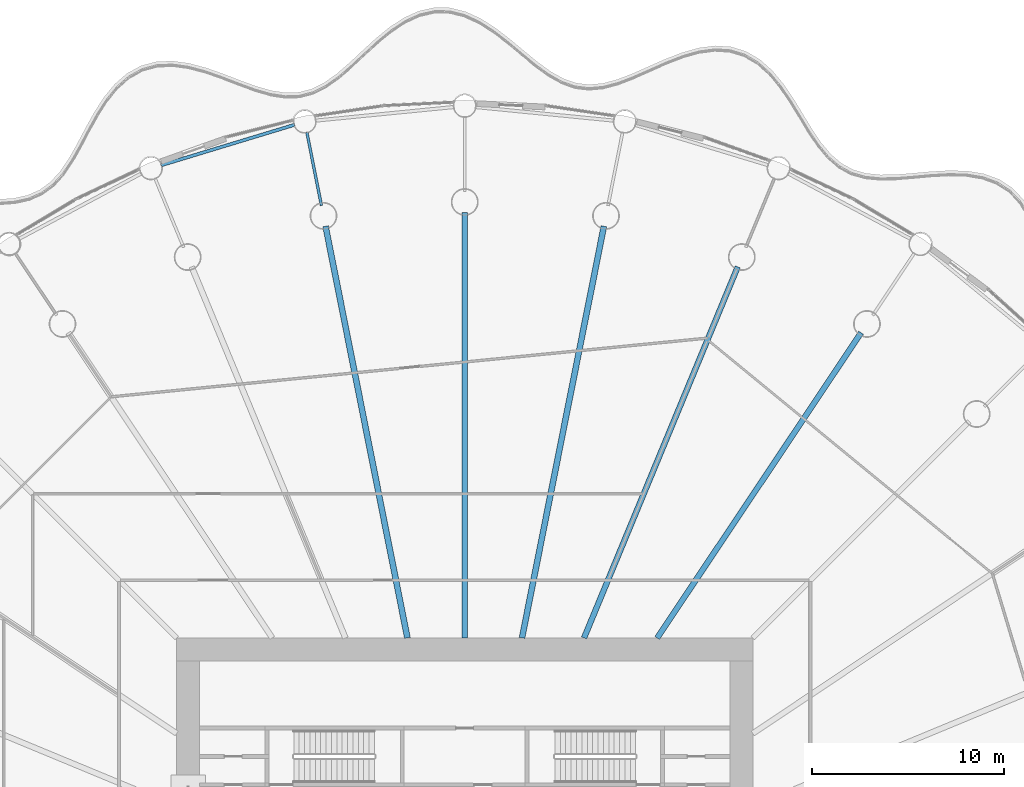
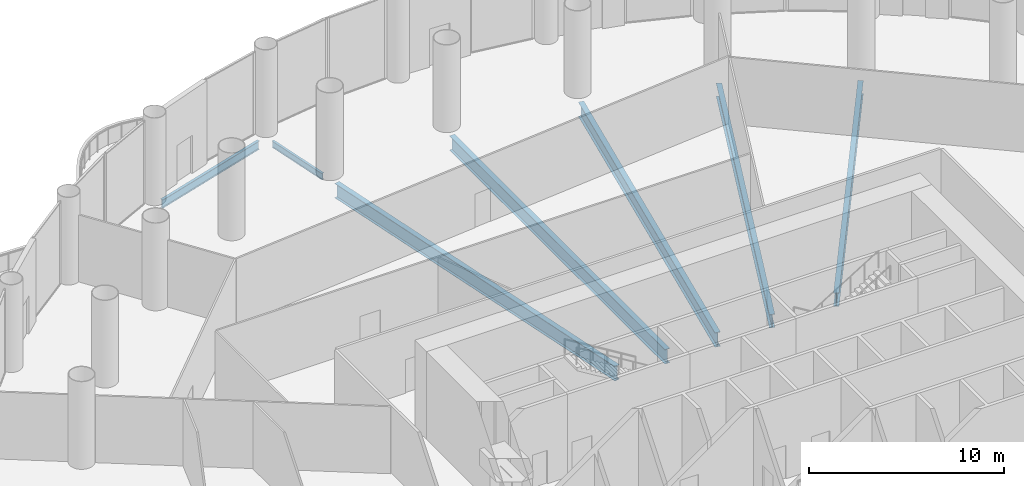
# One storey, part 17 of 37: 7 beams.
"""IFC4 building model written with IfcOpenShell, lengths in metres."""

from ifc_helpers import new_model, si_unit, direction, frame, origin, origin_2d, place, context, subcontext, project, spatial, i_section, extrude, material, material_profile, profile_set, type_object, element, save


model = new_model("IFC4")

# Units and contexts
model_context = context("Model", 3, precision=1e-05, world=origin(), true_north=direction((0.0, 1.0)))
body_context = subcontext(model_context, "Body", "Model", "MODEL_VIEW")
ifc_project = project(units=[si_unit("LENGTHUNIT", "METRE"), si_unit("AREAUNIT", "SQUARE_METRE"), si_unit("VOLUMEUNIT", "CUBIC_METRE"), si_unit("PLANEANGLEUNIT", "RADIAN"), si_unit("MASSUNIT", "GRAM", prefix="KILO")], contexts=[model_context])

# Site, building, storey
site_placement = place(None, origin())
site = spatial("IfcSite", under=ifc_project, at=site_placement, CompositionType="ELEMENT")
building_placement = place(site_placement, origin())
building = spatial("IfcBuilding", under=site, at=building_placement, Name="Corvane Civic Tower", CompositionType="ELEMENT")
storey_placement = place(building_placement, frame((0.0, 0.0, 11.5)))
storey = spatial("IfcBuildingStorey", under=building, at=storey_placement, Name="L02", CompositionType="ELEMENT", Elevation=11.5)

# Beams
ifc_material_1 = material(Name="Steel ASTM A992 Gr 50", Category="steel")
ifc_material_profile_1 = material_profile(ifc_material_1, i_section(OverallWidth=0.165771484375, OverallDepth=0.5283203125, WebThickness=0.009765625, FlangeThickness=0.013671875, at=origin_2d()), Name="W21X50")
ifc_profile_set_1 = profile_set([ifc_material_profile_1], Name="Steel ASTM A992 Gr 50")
beam_type_1 = type_object("IfcBeamType", Name="EDGE BEAM W21X50", PredefinedType="BEAM", material=ifc_profile_set_1)
beam_1_placement = place(storey_placement, frame((-15.814208984375, 39.609375, -0.564208984375), z_axis=(0.956938225664, 0.290291633127, 0.0), x_axis=(-0.290291633127, 0.956938225664, 0.0)))
element("IfcBeam", 1, at=beam_1_placement, inside=storey, type_object=beam_type_1, Name="BM-L02-E31", PredefinedType="BEAM", context=body_context, shape_type="SweptSolid", body=[
    extrude(i_section(OverallWidth=0.165771484375, OverallDepth=0.5283203125, WebThickness=0.009765625, FlangeThickness=0.013671875, at=origin_2d()), origin(), (0.0, 0.0, 1.0), 7.2705078125),
])
ifc_material_2 = material(Name="Steel ASTM A992 Gr 50", Category="steel")
ifc_material_profile_2 = material_profile(ifc_material_2, i_section(OverallWidth=0.140380859375, OverallDepth=0.40380859375, WebThickness=0.007080078125, FlangeThickness=0.01123046875, at=origin_2d()), Name="W16X31")
ifc_profile_set_2 = profile_set([ifc_material_profile_2], Name="Steel ASTM A992 Gr 50")
beam_type_2 = type_object("IfcBeamType", Name="FLOOR GIRDER W16X31", PredefinedType="BEAM", material=ifc_profile_set_2)
beam_2_placement = place(storey_placement, frame((-7.462158203125, 37.51513671875, -0.501953125), z_axis=(-0.195128858343, 0.980777614264, 0.0), x_axis=(-0.980777614264, -0.195128858343, 0.0)))
element("IfcBeam", 2, at=beam_2_placement, inside=storey, type_object=beam_type_2, Name="BM-L02-G32b", PredefinedType="BEAM", context=body_context, shape_type="SweptSolid", body=[
    extrude(i_section(OverallWidth=0.140380859375, OverallDepth=0.40380859375, WebThickness=0.007080078125, FlangeThickness=0.01123046875, at=origin_2d()), origin(), (0.0, 0.0, 1.0), 3.89990234375),
])
ifc_material_3 = material(Name="Steel ASTM A992 Gr 50", Category="steel")
ifc_material_profile_3 = material_profile(ifc_material_3, i_section(OverallWidth=0.2919921875, OverallDepth=0.845703125, WebThickness=0.015380859375, FlangeThickness=0.0244140625, at=origin_2d()), Name="W33X141")
ifc_profile_set_3 = profile_set([ifc_material_profile_3], Name="Steel ASTM A992 Gr 50")
beam_type_3 = type_object("IfcBeamType", Name="FLOOR GIRDER W33X141", PredefinedType="BEAM", material=ifc_profile_set_3)
beam_3_placement = place(storey_placement, frame((6.213134765625, 15.0, -0.722900390625), z_axis=(0.382692360381, 0.923875834355, 0.0), x_axis=(-0.923875834355, 0.382692360381, 0.0)))
element("IfcBeam", 3, at=beam_3_placement, inside=storey, type_object=beam_type_3, Name="BM-L02-G03", PredefinedType="BEAM", context=body_context, shape_type="SweptSolid", body=[
    extrude(i_section(OverallWidth=0.2919921875, OverallDepth=0.845703125, WebThickness=0.015380859375, FlangeThickness=0.0244140625, at=origin_2d()), origin(), (0.0, 0.0, 1.0), 20.9140625),
])
beam_4_placement = place(storey_placement, frame((10.022705078125, 15.0, -0.722900390625), z_axis=(0.555566681385, 0.831471985418, 0.0), x_axis=(-0.831471985418, 0.555566681385, 0.0)))
element("IfcBeam", 4, at=beam_4_placement, inside=storey, type_object=beam_type_3, Name="BM-L02-G04", PredefinedType="BEAM", context=body_context, shape_type="SweptSolid", body=[
    extrude(i_section(OverallWidth=0.2919921875, OverallDepth=0.845703125, WebThickness=0.015380859375, FlangeThickness=0.0244140625, at=origin_2d()), origin(), (0.0, 0.0, 1.0), 19.109619140625),
])
ifc_material_4 = material(Name="Steel ASTM A992 Gr 50", Category="steel")
ifc_material_profile_4 = material_profile(ifc_material_4, i_section(OverallWidth=0.3046875, OverallDepth=0.911865234375, WebThickness=0.015869140625, FlangeThickness=0.02392578125, at=origin_2d()), Name="W36X150")
ifc_profile_set_4 = profile_set([ifc_material_profile_4], Name="Steel ASTM A992 Gr 50")
beam_type_4 = type_object("IfcBeamType", Name="FLOOR GIRDER W36X150", PredefinedType="BEAM", material=ifc_profile_set_4)
beam_5_placement = place(storey_placement, frame((0.0, 15.0, -0.755859375), z_axis=(0.0, 1.0, 0.0), x_axis=(-1.0, 0.0, 0.0)))
element("IfcBeam", 5, at=beam_5_placement, inside=storey, type_object=beam_type_4, Name="BM-L02-G01", PredefinedType="BEAM", context=body_context, shape_type="SweptSolid", body=[
    extrude(i_section(OverallWidth=0.3046875, OverallDepth=0.911865234375, WebThickness=0.015869140625, FlangeThickness=0.02392578125, at=origin_2d()), origin(), (0.0, 0.0, 1.0), 22.14990234375),
])
for number, where, z_axis, x_axis, name in (
    (6, (2.983642578125, 15.0, -0.755859375), (0.195089219638, 0.980785499679, 0.0), (-0.980785499679, 0.195089219638, 0.0), "BM-L02-G02"),
    (7, (-2.983642578125, 15.0, -0.755859375), (-0.195089219638, 0.980785499679, 0.0), (-0.980785499679, -0.195089219638, 0.0), "BM-L02-G32"),
):
    element("IfcBeam", number, at=place(storey_placement, frame(where, z_axis=z_axis, x_axis=x_axis)), inside=storey, type_object=beam_type_4, Name=name, PredefinedType="BEAM", context=body_context, shape_type="SweptSolid", body=[
        extrude(i_section(OverallWidth=0.3046875, OverallDepth=0.911865234375, WebThickness=0.015869140625, FlangeThickness=0.02392578125, at=origin_2d()), origin(), (0.0, 0.0, 1.0), 21.856201171875),
    ])

save(model, "model.ifc")
